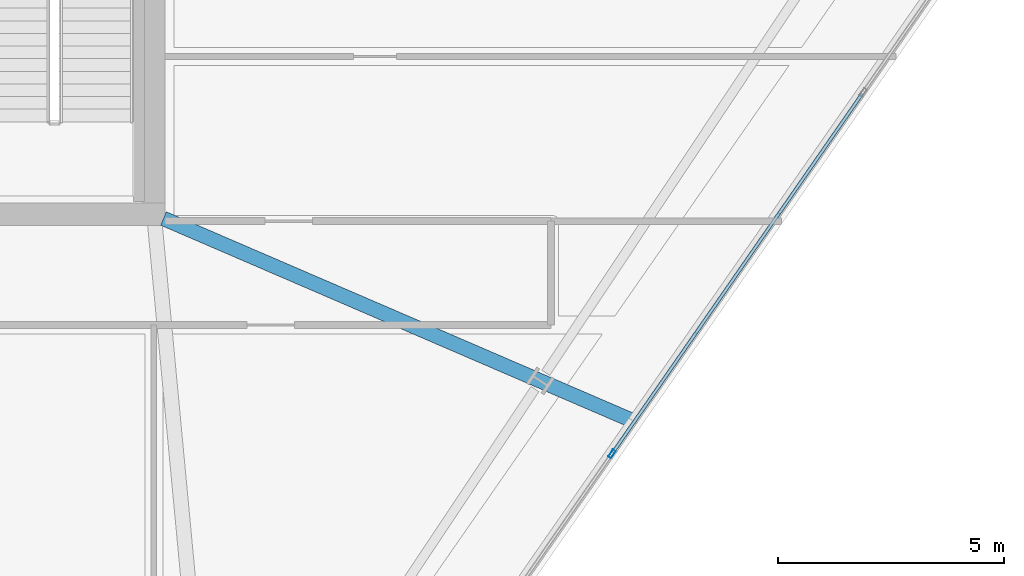
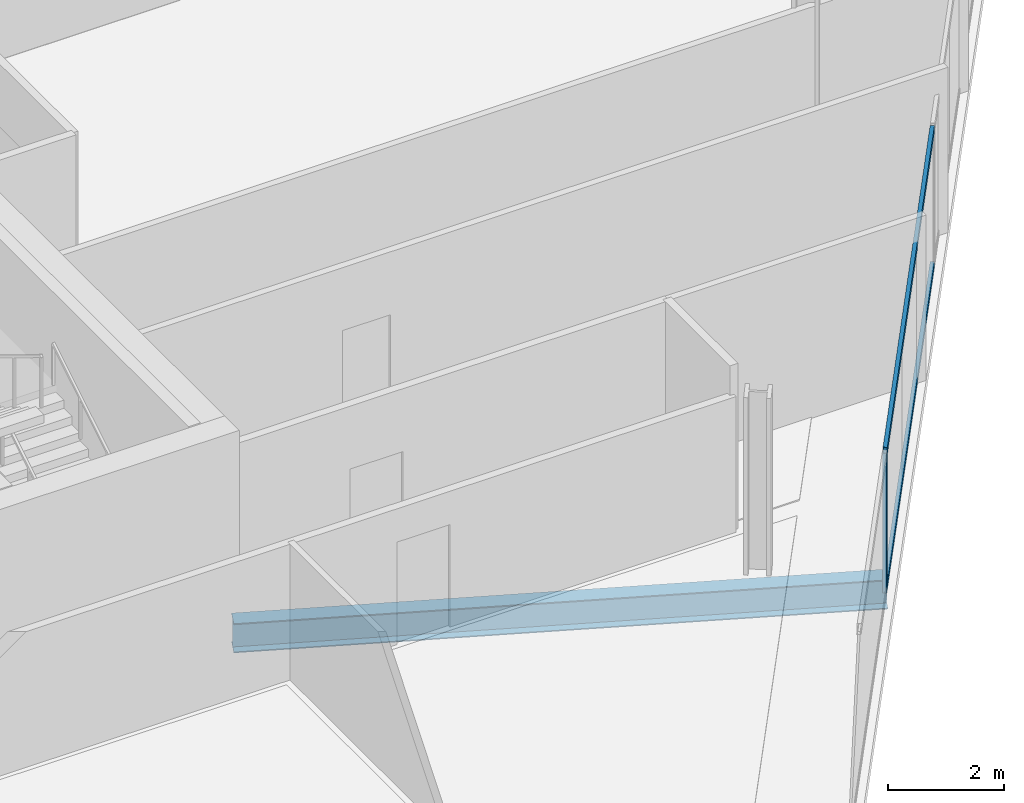
# One storey, part 11 of 30: 3 members, 1 beam, 1 element without a shape of its own.
"""IFC4 building model written with IfcOpenShell, lengths in metres."""

import ifcopenshell
import ifcopenshell.guid

model = None  # the IFC model being written
_history = None  # IfcOwnerHistory: only IFC2X3 demands one
_inside = {}  # id of a spatial element -> (the spatial element, [elements in it])
_under = {}  # id of a project, library or spatial element -> (it, [spatial elements below it])
_declared = {}  # id of a project -> (the project, [libraries it declares])
_typed = {}  # id of a type object -> (the type object, [elements of that type])
_made_of = {}  # id of a material, layer set ... -> (it, [elements and type objects made of it])


def new_model(schema):
    """Start an empty IFC model of exactly this schema.

    Asked for "IFC4X3", IfcOpenShell would pick the latest addendum, in which some entities
    have other attributes; the version numbers below select the first issue.
    IFC2X3 requires an IfcOwnerHistory on every rooted entity: one is made here for all.
    """
    global model, _history
    if schema == "IFC4X3":
        model = ifcopenshell.file(schema_version=(4, 3, 0, 0))
    else:
        model = ifcopenshell.file(schema=schema)
    _inside.clear()
    _under.clear()
    _declared.clear()
    _typed.clear()
    _made_of.clear()
    _history = None
    if model.schema == "IFC2X3":
        org = make("IfcOrganization", Name="unknown")
        user = make(
            "IfcPersonAndOrganization",
            ThePerson=make("IfcPerson", FamilyName="unknown"),
            TheOrganization=org,
        )
        app = make(
            "IfcApplication",
            ApplicationDeveloper=org,
            Version="unknown",
            ApplicationFullName="unknown",
            ApplicationIdentifier="unknown",
        )
        _history = make(
            "IfcOwnerHistory",
            OwningUser=user,
            OwningApplication=app,
            ChangeAction="ADDED",
            CreationDate=0,
        )
    return model


def make(cls, **values):
    """One entity of the class cls with the attributes given. An attribute that is None is left unset."""
    return model.create_entity(
        cls, **{name: value for name, value in values.items() if value is not None}
    )


def rooted(cls, **values):
    """An entity with a GlobalId (a new one), such as an element, a storey or a relation."""
    return make(cls, GlobalId=ifcopenshell.guid.new(), OwnerHistory=_history, **values)


def si_unit(unit_type, name, prefix=None):
    """IfcSIUnit, for example si_unit("LENGTHUNIT", "METRE", prefix="MILLI")."""
    return make("IfcSIUnit", UnitType=unit_type, Prefix=prefix, Name=name)


def assignment(units):
    """IfcUnitAssignment: the units of a project."""
    return None if units is None else make("IfcUnitAssignment", Units=units)


def point(xyz):
    """IfcCartesianPoint."""
    return None if xyz is None else make("IfcCartesianPoint", Coordinates=xyz)


def direction(xyz):
    """IfcDirection."""
    return None if xyz is None else make("IfcDirection", DirectionRatios=xyz)


def frame(location, z_axis=None, x_axis=None):
    """IfcAxis2Placement3D, a coordinate frame: its origin and axes. An axis left out is left unset."""
    return make(
        "IfcAxis2Placement3D",
        Location=point(location),
        Axis=direction(z_axis),
        RefDirection=direction(x_axis),
    )


def frame_2d(location, x_axis=None):
    """IfcAxis2Placement2D, a coordinate frame in the plane: its origin and x axis."""
    return make(
        "IfcAxis2Placement2D", Location=point(location), RefDirection=direction(x_axis)
    )


def origin():
    """The frame at (0, 0, 0) with its axes left unset."""
    return frame((0.0, 0.0, 0.0))


def origin_2d():
    """The frame at (0, 0) in the plane with its x axis left unset."""
    return frame_2d((0.0, 0.0))


def place(relative_to, where):
    """IfcLocalPlacement: puts the frame where relative to a parent placement (None: the world)."""
    return make(
        "IfcLocalPlacement", PlacementRelTo=relative_to, RelativePlacement=where
    )


def context(
    kind, dimensions, precision=None, world=None, true_north=None, identifier=None
):
    """IfcGeometricRepresentationContext, for example the 3D "Model" context."""
    return make(
        "IfcGeometricRepresentationContext",
        ContextIdentifier=identifier,
        ContextType=kind,
        CoordinateSpaceDimension=dimensions,
        Precision=precision,
        WorldCoordinateSystem=world,
        TrueNorth=true_north,
    )


def subcontext(parent, identifier, kind, view, scale=None):
    """IfcGeometricRepresentationSubContext, for example "Body" below "Model"."""
    return make(
        "IfcGeometricRepresentationSubContext",
        ContextIdentifier=identifier,
        ContextType=kind,
        ParentContext=parent,
        TargetScale=scale,
        TargetView=view,
    )


def project(units=None, contexts=None):
    """IfcProject with its units and contexts."""
    return rooted(
        "IfcProject",
        Name="project",
        RepresentationContexts=contexts,
        UnitsInContext=assignment(units),
    )


def spatial(cls, under=None, at=None, **own):
    """A site, building, storey or space (cls), placed at a placement, below another one or the project."""
    s = rooted(cls, ObjectPlacement=at, **own)
    if under is not None:
        _under.setdefault(under.id(), (under, []))[1].append(s)
    return s


def profile(cls, at=None, kind="AREA", **sizes):
    """A parametric profile (cls). Its sizes go by their IFC names, for example OverallWidth=200.0."""
    return make(cls, ProfileType=kind, Position=at, **sizes)


def hollow_rectangle(**sizes):
    """IfcRectangleHollowProfileDef."""
    return profile("IfcRectangleHollowProfileDef", **sizes)


def i_section(**sizes):
    """IfcIShapeProfileDef."""
    return profile("IfcIShapeProfileDef", **sizes)


def extrude(swept, where, along, depth):
    """IfcExtrudedAreaSolid: the profile swept, set in the frame where, extruded along a direction by depth."""
    return make(
        "IfcExtrudedAreaSolid",
        SweptArea=swept,
        Position=where,
        ExtrudedDirection=direction(along),
        Depth=depth,
    )


def shape(context_of_items, identifier, shape_type, items):
    """IfcShapeRepresentation: the items that make up one representation, for example the "Body"."""
    return make(
        "IfcShapeRepresentation",
        ContextOfItems=context_of_items,
        RepresentationIdentifier=identifier,
        RepresentationType=shape_type,
        Items=items,
    )


def material(Name=None, Category=None):
    """IfcMaterial."""
    return make("IfcMaterial", Name=Name, Category=Category)


def material_profile(
    of_material, cross_section, Name=None, Category=None, Priority=None
):
    """IfcMaterialProfile: a cross section and its material."""
    return make(
        "IfcMaterialProfile",
        Name=Name,
        Material=of_material,
        Profile=cross_section,
        Priority=Priority,
        Category=Category,
    )


def profile_set(profiles, Name=None, composite=None):
    """IfcMaterialProfileSet."""
    return make(
        "IfcMaterialProfileSet",
        Name=Name,
        MaterialProfiles=profiles,
        CompositeProfile=composite,
    )


def made_of(thing, what):
    """Note that an element or type object is made of a material, layer set ...; save() writes the relation."""
    if what is not None:
        _made_of.setdefault(what.id(), (what, []))[1].append(thing)
    return thing


def type_object(cls, material=None, **own):
    """A type object (cls), such as IfcWallType, which elements share."""
    return made_of(rooted(cls, **own), material)


def element(
    cls,
    number,
    at=None,
    inside=None,
    cuts=None,
    type_object=None,
    material=None,
    context=None,
    identifier="Body",
    shape_type=None,
    held_by="IfcProductDefinitionShape",
    body=None,
    shapes=None,
    **own,
):
    """One element of the class cls, such as IfcWall. Its Tag is "e" and its number.

    at: its placement. inside: the storey or other place that contains it. cuts: it is an
    opening in that element (IfcRelVoidsElement). A single representation is given by context,
    identifier, shape_type and body (its items); several are given by shapes. held_by: the class
    of the entity that holds the representations. save() writes the other relations.
    """
    e = rooted(cls, Tag="e%d" % number, ObjectPlacement=at, **own)
    if body is not None:
        shapes = [shape(context, identifier, shape_type, body)]
    if shapes is not None:
        e.Representation = make(held_by, Representations=shapes)
    if inside is not None:
        _inside.setdefault(inside.id(), (inside, []))[1].append(e)
    if cuts is not None:
        rooted(
            "IfcRelVoidsElement", RelatingBuildingElement=cuts, RelatedOpeningElement=e
        )
    if type_object is not None:
        _typed.setdefault(type_object.id(), (type_object, []))[1].append(e)
    return made_of(e, material)


def aggregate(whole, parts):
    """IfcRelAggregates: a whole, such as a stair, and the parts it consists of."""
    return rooted("IfcRelAggregates", RelatingObject=whole, RelatedObjects=parts)


def save(model, path):
    """Write the relations noted so far, then the file.

    IfcRelAggregates (storeys below a building ...), IfcRelContainedInSpatialStructure (elements
    in a storey), IfcRelDefinesByType, IfcRelAssociatesMaterial and IfcRelDeclares: one each for
    every whole, place, type object, material and project.
    """
    for whole, parts in _under.values():
        aggregate(whole, parts)
    for where, things in _inside.values():
        rooted(
            "IfcRelContainedInSpatialStructure",
            RelatedElements=things,
            RelatingStructure=where,
        )
    for kind, things in _typed.values():
        rooted("IfcRelDefinesByType", RelatedObjects=things, RelatingType=kind)
    for what, things in _made_of.values():
        rooted("IfcRelAssociatesMaterial", RelatedObjects=things, RelatingMaterial=what)
    for by, libraries in _declared.values():
        rooted("IfcRelDeclares", RelatingContext=by, RelatedDefinitions=libraries)
    model.write(path)


model = new_model("IFC4")

# Units and contexts
model_context = context("Model", 3, precision=1e-05, world=origin(), true_north=direction((0.0, 1.0)))
body_context = subcontext(model_context, "Body", "Model", "MODEL_VIEW")
ifc_project = project(units=[si_unit("LENGTHUNIT", "METRE"), si_unit("AREAUNIT", "SQUARE_METRE"), si_unit("VOLUMEUNIT", "CUBIC_METRE"), si_unit("PLANEANGLEUNIT", "RADIAN"), si_unit("MASSUNIT", "GRAM", prefix="KILO")], contexts=[model_context])

# Site, building, storey
site_placement = place(None, origin())
site = spatial("IfcSite", under=ifc_project, at=site_placement, CompositionType="ELEMENT")
building_placement = place(site_placement, origin())
building = spatial("IfcBuilding", under=site, at=building_placement, Name="Haldenkirk Collegiate Tower", CompositionType="ELEMENT")
storey_placement = place(building_placement, frame((0.0, 0.0, 213.449951171875)))
storey = spatial("IfcBuildingStorey", under=building, at=storey_placement, Name="L53", CompositionType="ELEMENT", Elevation=213.449951171875)

# Beam
ifc_material_1 = material(Name="Steel ASTM A992 Grade 50", Category="steel")
ifc_material_profile_1 = material_profile(ifc_material_1, i_section(OverallWidth=0.324951171875, OverallDepth=0.615966796875, WebThickness=0.013916015625, FlangeThickness=0.021484375, at=origin_2d()), Name="W24X117")
ifc_profile_set_1 = profile_set([ifc_material_profile_1], Name="Steel ASTM A992 Grade 50")
beam_type = type_object("IfcBeamType", Name="BM-GIRDER-W24X117", PredefinedType="BEAM", material=ifc_profile_set_1)
beam_placement = place(storey_placement, frame((55.611083984375, 13.42578125, -0.587890625), z_axis=(-0.918310034717, 0.395861945807, 0.0), x_axis=(-0.395861945807, -0.918310034717, 0.0)))
element("IfcBeam", 1, at=beam_placement, inside=storey, type_object=beam_type, Name="L53 primary floor girder 06", PredefinedType="BEAM", context=body_context, shape_type="SweptSolid", body=[
    extrude(i_section(OverallWidth=0.324951171875, OverallDepth=0.615966796875, WebThickness=0.013916015625, FlangeThickness=0.021484375, at=origin_2d()), origin(), (0.0, 0.0, 1.0), 11.324951171875),
])

# Curtain wall, members
ifc_material_2 = material(Name="Anodised architectural bronze aluminium", Category="aluminium")
curtain_wall_type = type_object("IfcCurtainWallType", Name="CW-SYS2-CONCAVE", PredefinedType="USERDEFINED", material=ifc_material_2)
curtain_wall_placement = place(storey_placement, origin())
curtain_wall = element("IfcCurtainWall", 2, at=curtain_wall_placement, inside=storey, type_object=curtain_wall_type, Name="L53 South concave recessed bronze-anodised curtain wall", ObjectType="UNITISED CURTAIN WALL", PredefinedType="USERDEFINED")
ifc_material_profile_2 = material_profile(ifc_material_2, hollow_rectangle(XDim=0.074951171875, YDim=0.18994140625, WallThickness=0.0048828125, at=origin_2d()), Name="CW-MUL-02")
ifc_profile_set_2 = profile_set([ifc_material_profile_2], Name="Anodised architectural bronze aluminium")
member_type_1 = type_object("IfcMemberType", Name="CW-MUL-02", PredefinedType="MULLION", material=ifc_profile_set_2)
member_1_placement = place(storey_placement, frame((55.149169921875, 12.69091796875, 0.0), z_axis=(0.0, 0.0, 1.0), x_axis=(0.82114783118, -0.570715550295, 0.0)))
member_1 = element("IfcMember", 3, at=member_1_placement, type_object=member_type_1, Name="CW-02 mullion 3", PredefinedType="MULLION", context=body_context, shape_type="SweptSolid", body=[
    extrude(hollow_rectangle(XDim=0.074951171875, YDim=0.18994140625, WallThickness=0.0048828125, at=origin_2d()), origin(), (0.0, 0.0, 1.0), 2.927978515625),
])
ifc_material_profile_3 = material_profile(ifc_material_2, hollow_rectangle(XDim=0.074951171875, YDim=0.159912109375, WallThickness=0.0048828125, at=origin_2d()), Name="CW-TRN-02")
ifc_profile_set_3 = profile_set([ifc_material_profile_3], Name="Anodised architectural bronze aluminium")
member_type_2 = type_object("IfcMemberType", Name="CW-TRN-02", PredefinedType="USERDEFINED", material=ifc_profile_set_3)
member_2_placement = place(storey_placement, frame((60.6923828125, 20.66650390625, 0.03759765625), z_axis=(-0.570708817348, -0.821152510683, 0.0), x_axis=(0.821152510683, -0.570708817348, 0.0)))
member_2 = element("IfcMember", 4, at=member_2_placement, type_object=member_type_2, Name="CW-02 transom 2.1", ObjectType="TRANSOM", PredefinedType="USERDEFINED", context=body_context, shape_type="SweptSolid", body=[
    extrude(hollow_rectangle(XDim=0.074951171875, YDim=0.159912109375, WallThickness=0.0048828125, at=origin_2d()), origin(), (0.0, 0.0, 1.0), 9.67529296875),
])
member_3_placement = place(storey_placement, frame((60.6923828125, 20.66650390625, 2.890625), z_axis=(-0.570708817348, -0.821152510683, 0.0), x_axis=(0.821152510683, -0.570708817348, 0.0)))
member_3 = element("IfcMember", 5, at=member_3_placement, type_object=member_type_2, Name="CW-02 transom 2.2", ObjectType="TRANSOM", PredefinedType="USERDEFINED", context=body_context, shape_type="SweptSolid", body=[
    extrude(hollow_rectangle(XDim=0.074951171875, YDim=0.159912109375, WallThickness=0.0048828125, at=origin_2d()), origin(), (0.0, 0.0, 1.0), 9.67529296875),
])
aggregate(curtain_wall, [member_1, member_2, member_3])

save(model, "model.ifc")
